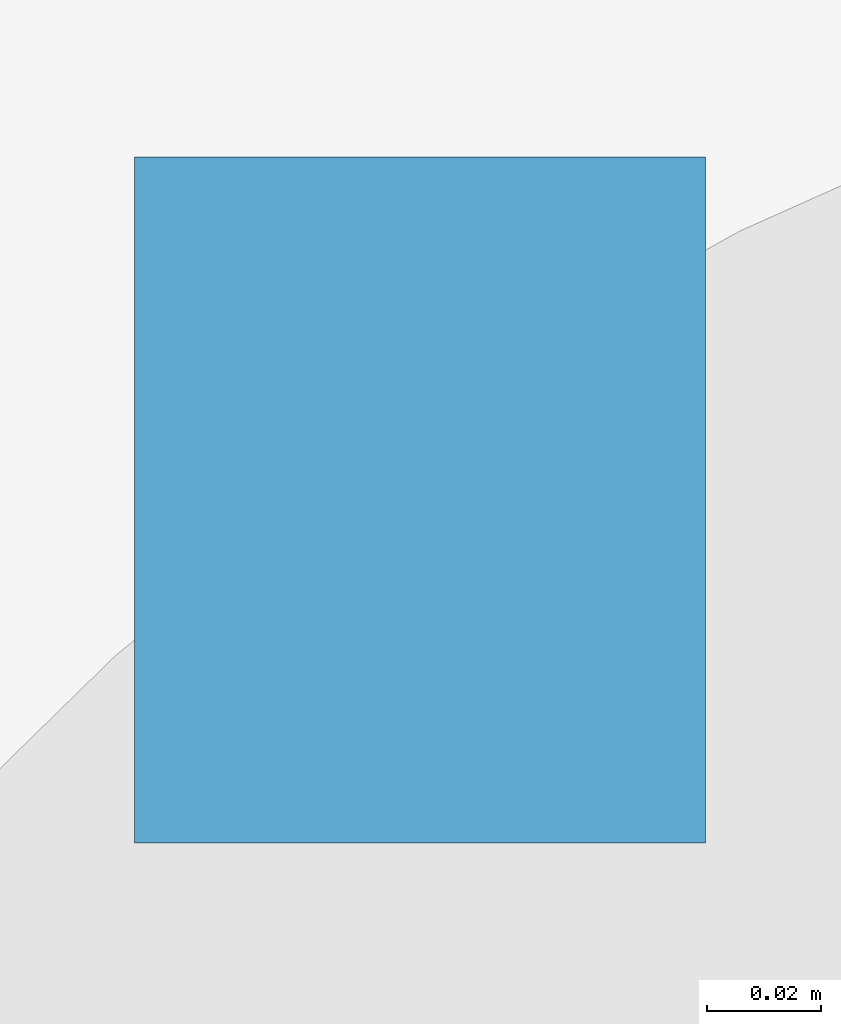
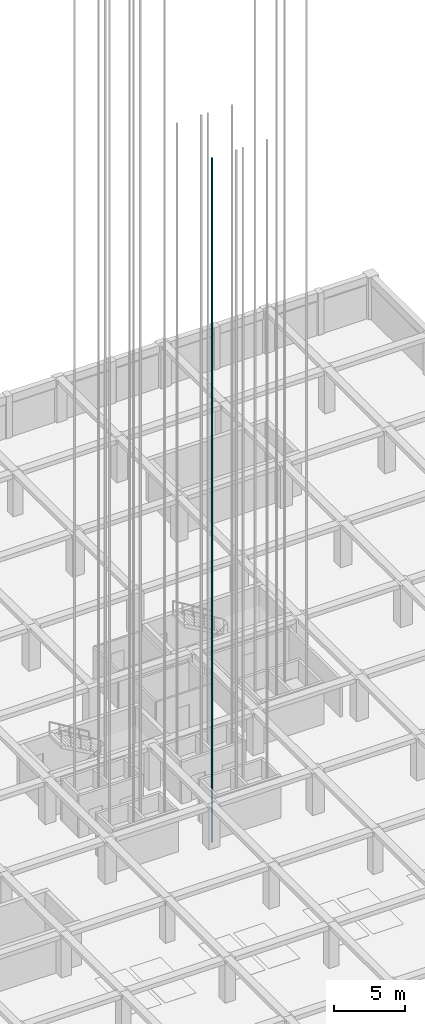
# One storey, part 33 of 47: 1 discrete accessory.
"""IFC4 building model written with IfcOpenShell, lengths in metres."""

from ifc_helpers import new_model, si_unit, direction, frame, origin, origin_2d, place, context, subcontext, project, spatial, rectangle, extrude, material, layer, layer_set, type_object, element, save


model = new_model("IFC4")

# Units and contexts
model_context = context("Model", 3, precision=1e-05, world=origin(), true_north=direction((0.0, 1.0)))
body_context = subcontext(model_context, "Body", "Model", "MODEL_VIEW")
ifc_project = project(units=[si_unit("LENGTHUNIT", "METRE"), si_unit("AREAUNIT", "SQUARE_METRE"), si_unit("VOLUMEUNIT", "CUBIC_METRE"), si_unit("PLANEANGLEUNIT", "RADIAN"), si_unit("MASSUNIT", "GRAM", prefix="KILO")], contexts=[model_context])

# Site, building, storey
site_placement = place(None, origin())
site = spatial("IfcSite", under=ifc_project, at=site_placement, CompositionType="ELEMENT")
building_placement = place(site_placement, origin())
building = spatial("IfcBuilding", under=site, at=building_placement, Name="Almacenes y Pasaje Nevantli", CompositionType="ELEMENT")
storey_placement = place(building_placement, frame((0.0, 0.0, -8.10009765625)))
storey = spatial("IfcBuildingStorey", under=building, at=storey_placement, Name="B02", CompositionType="ELEMENT", Elevation=-8.10009765625)

# Discrete accessory
ifc_material = material(Name="Steel ASTM A36", Category="steel")
ifc_layer = layer(ifc_material, 0.1201171875)
ifc_layer_set = layer_set([ifc_layer], Name="Steel ASTM A36")
discrete_accessory_type = type_object("IfcDiscreteAccessoryType", Name="ACC-LIFT-RAIL", PredefinedType="BRACKET", material=ifc_layer_set)
discrete_accessory_placement = place(storey_placement, frame((127.070068359375, 68.949951171875, -1.199951171875), z_axis=(0.0, 0.0, 1.0), x_axis=(1.0, 0.0, 0.0)))
element("IfcDiscreteAccessory", 1, at=discrete_accessory_placement, inside=storey, type_object=discrete_accessory_type, Name="Elevator Steel T-Section Guide Rail ELV-P01-W", PredefinedType="BRACKET", context=body_context, shape_type="SweptSolid", body=[
    extrude(rectangle(XDim=0.10009765625, YDim=0.1201171875, at=origin_2d()), origin(), (0.0, 0.0, 1.0), 58.5),
])

save(model, "model.ifc")
